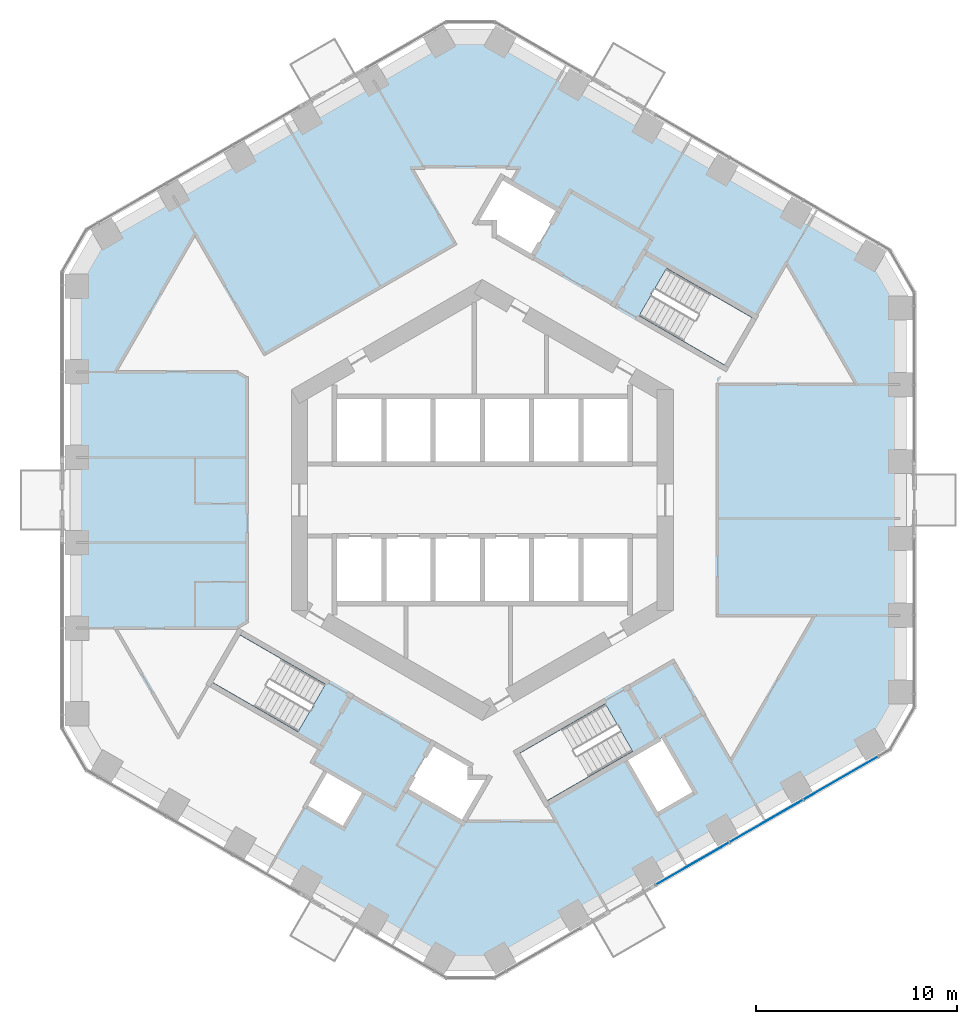
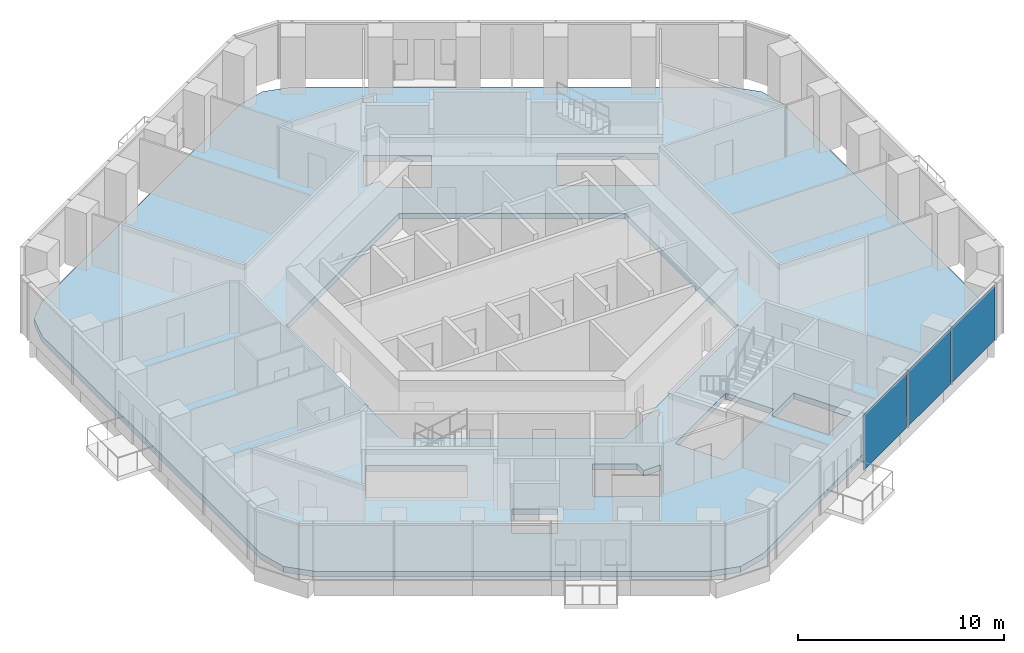
# One storey, part 10 of 20: 3 plates, 1 slab, 1 element without a shape of its own.
"""IFC4 building model written with IfcOpenShell, lengths in metres."""

from ifc_helpers import new_model, si_unit, direction, frame, origin, origin_2d, place, context, subcontext, project, spatial, polyline, rectangle, outline, extrude, material, layer, layer_set, type_object, element, aggregate, save


model = new_model("IFC4")

# Units and contexts
model_context = context("Model", 3, precision=1e-05, world=origin(), true_north=direction((0.0, 1.0)))
body_context = subcontext(model_context, "Body", "Model", "MODEL_VIEW")
ifc_project = project(units=[si_unit("LENGTHUNIT", "METRE"), si_unit("AREAUNIT", "SQUARE_METRE"), si_unit("VOLUMEUNIT", "CUBIC_METRE"), si_unit("PLANEANGLEUNIT", "RADIAN"), si_unit("MASSUNIT", "GRAM", prefix="KILO")], contexts=[model_context])

# Site, building, storey
site_placement = place(None, origin())
site = spatial("IfcSite", under=ifc_project, at=site_placement, CompositionType="ELEMENT")
building_placement = place(site_placement, origin())
building = spatial("IfcBuilding", under=site, at=building_placement, Name="Ayvan Gate Tower", CompositionType="ELEMENT")
storey_placement = place(building_placement, frame((0.0, 0.0, 59.5)))
storey = spatial("IfcBuildingStorey", under=building, at=storey_placement, Name="L15", CompositionType="ELEMENT", Elevation=59.5)

# Slab
ifc_material_1 = material(Name="Concrete C40/50", Category="concrete")
ifc_layer_1 = layer(ifc_material_1, 0.35009765625)
ifc_layer_set_1 = layer_set([ifc_layer_1], Name="Concrete C40/50")
slab_type = type_object("IfcSlabType", Name="Post-tensioned flat slab 350", PredefinedType="FLOOR", material=ifc_layer_set_1)
slab_placement = place(storey_placement, frame((0.0, 0.0, -0.35009765625)))
element("IfcSlab", 1, at=slab_placement, inside=storey, type_object=slab_type, Name="SL-L15", PredefinedType="FLOOR", context=body_context, shape_type="SweptSolid", body=[
    extrude(outline(polyline([(-2.093505859375, -22.791259765625), (-18.691162109375, -13.208740234375), (-19.789306640625, -12.110595703125), (-20.191162109375, -10.610595703125), (-20.191162109375, 10.610595703125), (-19.789306640625, 12.110595703125), (-18.691162109375, 13.208740234375), (-2.093505859375, 22.791259765625), (-0.593505859375, 23.193359375), (0.906494140625, 22.791259765625), (19.28466796875, 12.1806640625), (20.382568359375, 11.082763671875), (20.78466796875, 9.582763671875), (20.78466796875, -9.582763671875), (20.382568359375, -11.082763671875), (19.28466796875, -12.1806640625), (0.906494140625, -22.791259765625), (-0.593505859375, -23.193359375), (-2.093505859375, -22.791259765625)]), holes=[polyline([(9.1611328125, 11.517578125), (7.80615234375, 9.170654296875), (12.049560546875, 6.720458984375), (13.404541015625, 9.0673828125), (9.1611328125, 11.517578125)]), polyline([(8.995361328125, -11.780517578125), (8.735595703125, -11.9306640625), (7.090087890625, -12.880615234375), (8.686279296875, -15.645263671875), (8.690185546875, -15.65185546875), (10.595458984375, -14.5517578125), (8.995361328125, -11.780517578125)]), polyline([(-9.5, 5.48486328125), (-9.5, -5.48486328125), (0.0, -10.9697265625), (9.5, -5.48486328125), (9.5, 5.48486328125), (0.0, 10.9697265625), (-9.5, 5.48486328125)]), polyline([(7.472412109375, -12.492431640625), (6.117431640625, -10.1455078125), (1.873779296875, -12.595458984375), (3.228759765625, -14.9423828125), (7.472412109375, -12.492431640625)]), polyline([(3.822509765625, 14.420654296875), (0.964599609375, 16.07080078125), (-0.340576171875, 13.81005859375), (0.60009765625, 13.81005859375), (0.60009765625, 13.16357421875), (2.472412109375, 12.08251953125), (3.822509765625, 14.420654296875)]), polyline([(-0.60009765625, -13.81005859375), (-0.60009765625, -13.16357421875), (-2.472412109375, -12.08251953125), (-3.822509765625, -14.420654296875), (-0.964599609375, -16.07080078125), (-0.919921875, -15.9931640625), (0.340576171875, -13.81005859375), (-0.60009765625, -13.81005859375)]), polyline([(-8.120361328125, -14.06494140625), (-8.687744140625, -15.047607421875), (-8.775146484375, -15.19873046875), (-6.869873046875, -16.298828125), (-5.8447265625, -14.5234375), (-7.75, -13.42333984375), (-8.120361328125, -14.06494140625)]), polyline([(-12.049560546875, -6.720458984375), (-13.404541015625, -9.0673828125), (-9.1611328125, -11.517578125), (-7.80615234375, -9.170654296875), (-12.049560546875, -6.720458984375)])]), origin(), (0.0, 0.0, 1.0), 0.35009765625),
])

# Curtain wall, plates
ifc_material_2 = material(Name="Bronze anodised aluminium", Category="aluminium")
ifc_layer_2 = layer(ifc_material_2, 0.199951171875)
ifc_layer_set_2 = layer_set([ifc_layer_2], Name="Bronze anodised aluminium")
curtain_wall_type = type_object("IfcCurtainWallType", Name="Stick curtain wall CW-1", PredefinedType="NOTDEFINED", material=ifc_layer_set_2)
curtain_wall_placement = place(storey_placement, origin())
curtain_wall = element("IfcCurtainWall", 2, at=curtain_wall_placement, inside=storey, type_object=curtain_wall_type, Name="Stick curtain wall CW-1 L15", PredefinedType="NOTDEFINED")
ifc_material_3 = material(Name="Clear low-iron laminated glass", Category="glass")
ifc_layer_3 = layer(ifc_material_3, 0.028076171875)
ifc_layer_set_3 = layer_set([ifc_layer_3], Name="Clear low-iron laminated glass")
plate_type = type_object("IfcPlateType", Name="Stick curtain wall CW-1 glass panel", PredefinedType="CURTAIN_PANEL", material=ifc_layer_set_3)
plate_1_placement = place(storey_placement, frame((10.4453125, -18.09228515625, 0.0), z_axis=(0.0, 0.0, 1.0), x_axis=(0.866025403784, 0.5, 0.0)))
plate_1 = element("IfcPlate", 3, at=plate_1_placement, type_object=plate_type, Name="CW-1 glass panel 1", PredefinedType="CURTAIN_PANEL", context=body_context, shape_type="SweptSolid", body=[
    extrude(rectangle(XDim=4.19091796875, YDim=0.028076171875, at=origin_2d()), origin(), (0.0, 0.0, 1.0), 3.280029296875),
])
plate_2_placement = place(storey_placement, frame((14.126708984375, -15.966796875, 0.0), z_axis=(0.0, 0.0, 1.0), x_axis=(0.866025403784, 0.5, 0.0)))
plate_2 = element("IfcPlate", 4, at=plate_2_placement, type_object=plate_type, Name="CW-1 glass panel 2", PredefinedType="CURTAIN_PANEL", context=body_context, shape_type="SweptSolid", body=[
    extrude(rectangle(XDim=4.19091796875, YDim=0.028076171875, at=origin_2d()), origin(), (0.0, 0.0, 1.0), 3.280029296875),
])
plate_3_placement = place(storey_placement, frame((17.841064453125, -13.822509765625, 0.0), z_axis=(0.0, 0.0, 1.0), x_axis=(0.866025403784, 0.5, 0.0)))
plate_3 = element("IfcPlate", 5, at=plate_3_placement, type_object=plate_type, Name="CW-1 glass panel 3", PredefinedType="CURTAIN_PANEL", context=body_context, shape_type="SweptSolid", body=[
    extrude(rectangle(XDim=4.2666015625, YDim=0.028076171875, at=origin_2d()), origin(), (0.0, 0.0, 1.0), 3.280029296875),
])
aggregate(curtain_wall, [plate_1, plate_2, plate_3])

save(model, "model.ifc")
